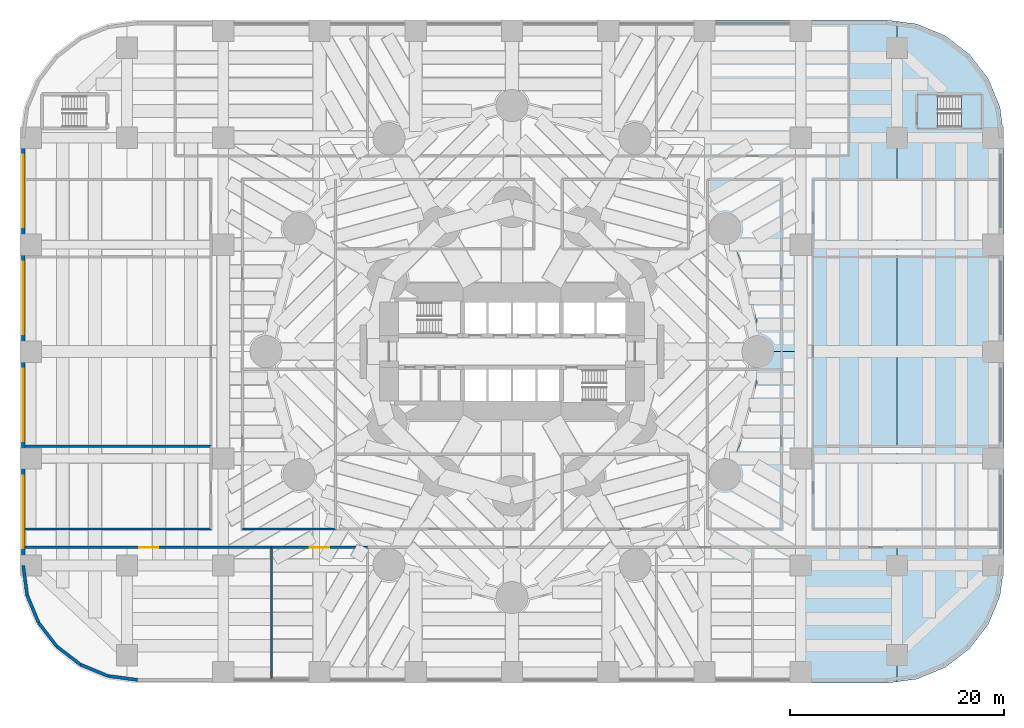
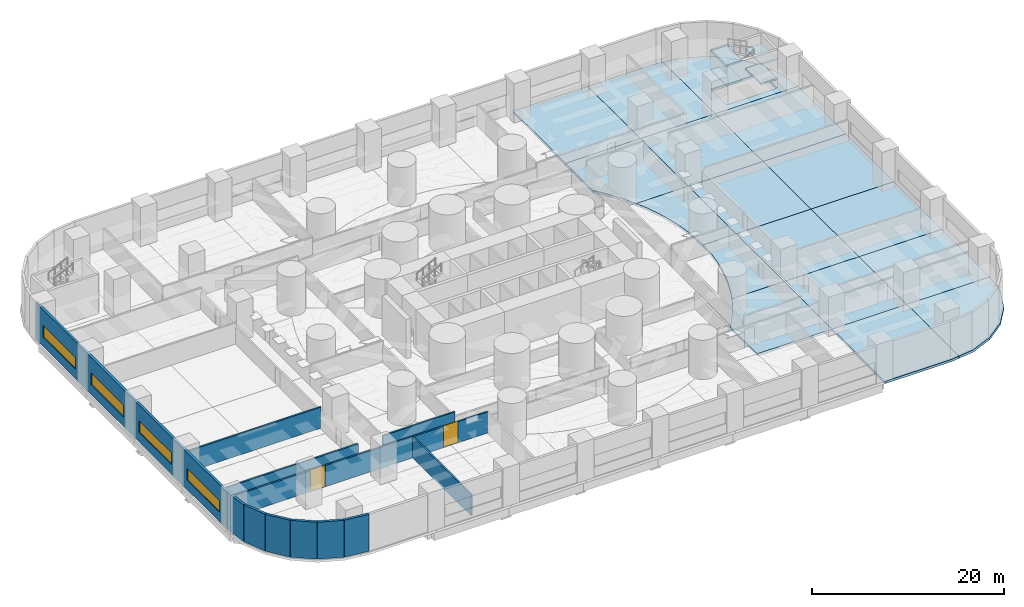
# One storey, part 6 of 17: 21 slabs, 13 walls, 4 windows, 2 doors, 6 openings, 1 element without a shape of its own.
"""IFC4 building model written with IfcOpenShell, lengths in metres."""

from ifc_helpers import new_model, si_unit, direction, frame, frame_2d, origin, place, context, subcontext, project, spatial, polyline, rectangle, outline, extrude, material, layer, layer_set, type_object, element, fill, aggregate, save


model = new_model("IFC4")

# Units and contexts
model_context = context("Model", 3, precision=1e-05, world=origin(), true_north=direction((0.0, 1.0)))
body_context = subcontext(model_context, "Body", "Model", "MODEL_VIEW")
ifc_project = project(units=[si_unit("LENGTHUNIT", "METRE"), si_unit("AREAUNIT", "SQUARE_METRE"), si_unit("VOLUMEUNIT", "CUBIC_METRE"), si_unit("PLANEANGLEUNIT", "RADIAN"), si_unit("MASSUNIT", "GRAM", prefix="KILO")], contexts=[model_context])

# Site, building, storey
site_placement = place(None, origin())
site = spatial("IfcSite", under=ifc_project, at=site_placement, CompositionType="ELEMENT")
building_placement = place(site_placement, origin())
building = spatial("IfcBuilding", under=site, at=building_placement, Name="Qaws Media Tower", CompositionType="ELEMENT")
storey_placement = place(building_placement, frame((0.0, 0.0, 15.0)))
storey = spatial("IfcBuildingStorey", under=building, at=storey_placement, Name="L02", CompositionType="ELEMENT", Elevation=15.0)

# Slabs
ifc_material_1 = material(Name="Concrete C40/50", Category="concrete")
ifc_layer_1 = layer(ifc_material_1, 0.300048828125)
ifc_layer_set_1 = layer_set([ifc_layer_1], Name="Podium slab 300")
slab_type_1 = type_object("IfcSlabType", Name="Podium slab 300", PredefinedType="FLOOR", material=ifc_layer_set_1)
slab_1_placement = place(storey_placement, frame((0.0, 0.0, -0.300048828125)))
element("IfcSlab", 1, at=slab_1_placement, inside=storey, type_object=slab_type_1, Name="S3 slab L02 bay 8-9/B-C", PredefinedType="FLOOR", context=body_context, shape_type="SweptSolid", body=[
    extrude(outline(polyline([(78.2470703125, 35.99853515625), (79.123779296875, 37.221923828125), (79.918701171875, 38.5), (80.628173828125, 39.827392578125), (80.706298828125, 40.0), (87.0, 40.0), (87.0, 30.0), (78.0, 30.0), (78.0, 35.697509765625), (78.2470703125, 35.99853515625)])), origin(), (0.0, 0.0, 1.0), 0.300048828125),
])
slab_2_placement = place(storey_placement, frame((0.0, 0.0, -0.300048828125)))
element("IfcSlab", 2, at=slab_2_placement, inside=storey, type_object=slab_type_1, Name="S3 slab L02 bay 8-9/C-D", PredefinedType="FLOOR", context=body_context, shape_type="SweptSolid", body=[
    extrude(outline(polyline([(81.249267578125, 41.1982421875), (81.779296875, 42.60693359375), (82.21630859375, 44.047119140625), (82.55810546875, 45.512939453125), (82.80322265625, 46.997802734375), (82.95068359375, 48.49560546875), (83.0, 50.0), (87.0, 50.0), (87.0, 40.0), (80.706298828125, 40.0), (81.249267578125, 41.1982421875)])), origin(), (0.0, 0.0, 1.0), 0.300048828125),
])
slab_3_placement = place(storey_placement, frame((0.0, 0.0, -0.300048828125)))
element("IfcSlab", 3, at=slab_3_placement, inside=storey, type_object=slab_type_1, Name="S3 slab L02 bay 8-9/D-E", PredefinedType="FLOOR", context=body_context, shape_type="SweptSolid", body=[
    extrude(outline(polyline([(82.21630859375, 55.952880859375), (81.779296875, 57.39306640625), (81.249267578125, 58.8017578125), (80.706298828125, 60.0), (87.0, 60.0), (87.0, 50.0), (83.0, 50.0), (82.95068359375, 51.50439453125), (82.80322265625, 53.002197265625), (82.55810546875, 54.487060546875), (82.21630859375, 55.952880859375)])), origin(), (0.0, 0.0, 1.0), 0.300048828125),
])
slab_4_placement = place(storey_placement, frame((0.0, 0.0, -0.300048828125)))
element("IfcSlab", 4, at=slab_4_placement, inside=storey, type_object=slab_type_1, Name="S3 slab L02 bay 8-9/E-F", PredefinedType="FLOOR", context=body_context, shape_type="SweptSolid", body=[
    extrude(outline(polyline([(80.628173828125, 60.172607421875), (79.918701171875, 61.5), (79.123779296875, 62.778076171875), (78.2470703125, 64.00146484375), (78.0, 64.302490234375), (78.0, 70.0), (87.0, 70.0), (87.0, 60.0), (80.706298828125, 60.0), (80.628173828125, 60.172607421875)])), origin(), (0.0, 0.0, 1.0), 0.300048828125),
])
slab_5_placement = place(storey_placement, frame((0.0, 0.0, -0.300048828125)))
element("IfcSlab", 5, at=slab_5_placement, inside=storey, type_object=slab_type_1, Name="S3 slab L02 bay 8-9/F-G", PredefinedType="FLOOR", context=body_context, shape_type="SweptSolid", body=[
    extrude(outline(polyline([(87.0, 81.0), (87.0, 70.0), (78.0, 70.0), (78.0, 81.0), (87.0, 81.0)])), origin(), (0.0, 0.0, 1.0), 0.300048828125),
])
slab_6_placement = place(storey_placement, frame((0.0, 0.0, -0.300048828125)))
element("IfcSlab", 6, at=slab_6_placement, inside=storey, type_object=slab_type_1, Name="S3 slab L02 bay 9-10/A-B", PredefinedType="FLOOR", context=body_context, shape_type="SweptSolid", body=[
    extrude(outline(polyline([(95.0, 19.0), (87.0, 19.0), (87.0, 30.0), (96.0, 30.0), (96.0, 19.131591796875), (95.0, 19.0)])), origin(), (0.0, 0.0, 1.0), 0.300048828125),
])
slab_7_placement = place(storey_placement, frame((0.0, 0.0, -0.300048828125)))
element("IfcSlab", 7, at=slab_7_placement, inside=storey, type_object=slab_type_1, Name="S3 slab L02 bay 9-10/B-C", PredefinedType="FLOOR", context=body_context, shape_type="SweptSolid", body=[
    extrude(outline(polyline([(87.0, 30.0), (87.0, 40.0), (96.0, 40.0), (96.0, 30.0), (87.0, 30.0)])), origin(), (0.0, 0.0, 1.0), 0.300048828125),
])
slab_8_placement = place(storey_placement, frame((0.0, 0.0, -0.300048828125)))
element("IfcSlab", 8, at=slab_8_placement, inside=storey, type_object=slab_type_1, Name="S3 slab L02 bay 9-10/C-D", PredefinedType="FLOOR", context=body_context, shape_type="SweptSolid", body=[
    extrude(outline(polyline([(87.0, 40.0), (87.0, 50.0), (96.0, 50.0), (96.0, 40.0), (87.0, 40.0)])), origin(), (0.0, 0.0, 1.0), 0.300048828125),
])
slab_9_placement = place(storey_placement, frame((0.0, 0.0, -0.300048828125)))
element("IfcSlab", 9, at=slab_9_placement, inside=storey, type_object=slab_type_1, Name="S3 slab L02 bay 9-10/D-E", PredefinedType="FLOOR", context=body_context, shape_type="SweptSolid", body=[
    extrude(outline(polyline([(87.0, 50.0), (87.0, 60.0), (96.0, 60.0), (96.0, 50.0), (87.0, 50.0)])), origin(), (0.0, 0.0, 1.0), 0.300048828125),
])
slab_10_placement = place(storey_placement, frame((0.0, 0.0, -0.300048828125)))
element("IfcSlab", 10, at=slab_10_placement, inside=storey, type_object=slab_type_1, Name="S3 slab L02 bay 9-10/E-F", PredefinedType="FLOOR", context=body_context, shape_type="SweptSolid", body=[
    extrude(outline(polyline([(87.0, 60.0), (87.0, 70.0), (96.0, 70.0), (96.0, 60.0), (87.0, 60.0)])), origin(), (0.0, 0.0, 1.0), 0.300048828125),
])
slab_11_placement = place(storey_placement, frame((0.0, 0.0, -0.300048828125)))
element("IfcSlab", 11, at=slab_11_placement, inside=storey, type_object=slab_type_1, Name="S3 slab L02 bay 9-10/F-G", PredefinedType="FLOOR", context=body_context, shape_type="SweptSolid", body=[
    extrude(outline(polyline([(95.0, 81.0), (96.0, 80.868408203125), (96.0, 70.0), (87.0, 70.0), (87.0, 81.0), (95.0, 81.0)])), origin(), (0.0, 0.0, 1.0), 0.300048828125),
])
slab_12_placement = place(storey_placement, frame((0.0, 0.0, -0.300048828125)))
element("IfcSlab", 12, at=slab_12_placement, inside=storey, type_object=slab_type_1, Name="S3 slab L02 bay 10-11/A-B", PredefinedType="FLOOR", context=body_context, shape_type="SweptSolid", body=[
    extrude(outline(polyline([(105.625244140625, 27.153076171875), (104.5263671875, 24.5), (102.7783203125, 22.2216796875), (100.5, 20.4736328125), (97.846923828125, 19.374755859375), (96.0, 19.131591796875), (96.0, 30.0), (106.0, 30.0), (105.625244140625, 27.153076171875)])), origin(), (0.0, 0.0, 1.0), 0.300048828125),
])
slab_13_placement = place(storey_placement, frame((0.0, 0.0, -0.300048828125)))
element("IfcSlab", 13, at=slab_13_placement, inside=storey, type_object=slab_type_1, Name="S3 slab L02 bay 10-11/B-C", PredefinedType="FLOOR", context=body_context, shape_type="SweptSolid", body=[
    extrude(outline(polyline([(106.0, 30.0), (96.0, 30.0), (96.0, 40.0), (106.0, 40.0), (106.0, 30.0)])), origin(), (0.0, 0.0, 1.0), 0.300048828125),
])
slab_14_placement = place(storey_placement, frame((0.0, 0.0, -0.300048828125)))
element("IfcSlab", 14, at=slab_14_placement, inside=storey, type_object=slab_type_1, Name="S3 slab L02 bay 10-11/C-D", PredefinedType="FLOOR", context=body_context, shape_type="SweptSolid", body=[
    extrude(outline(polyline([(106.0, 40.0), (96.0, 40.0), (96.0, 50.0), (106.0, 50.0), (106.0, 40.0)])), origin(), (0.0, 0.0, 1.0), 0.300048828125),
])
slab_15_placement = place(storey_placement, frame((0.0, 0.0, -0.300048828125)))
element("IfcSlab", 15, at=slab_15_placement, inside=storey, type_object=slab_type_1, Name="S3 slab L02 bay 10-11/D-E", PredefinedType="FLOOR", context=body_context, shape_type="SweptSolid", body=[
    extrude(outline(polyline([(106.0, 50.0), (96.0, 50.0), (96.0, 60.0), (106.0, 60.0), (106.0, 50.0)])), origin(), (0.0, 0.0, 1.0), 0.300048828125),
])
slab_16_placement = place(storey_placement, frame((0.0, 0.0, -0.300048828125)))
element("IfcSlab", 16, at=slab_16_placement, inside=storey, type_object=slab_type_1, Name="S3 slab L02 bay 10-11/E-F", PredefinedType="FLOOR", context=body_context, shape_type="SweptSolid", body=[
    extrude(outline(polyline([(106.0, 60.0), (96.0, 60.0), (96.0, 70.0), (106.0, 70.0), (106.0, 60.0)])), origin(), (0.0, 0.0, 1.0), 0.300048828125),
])
slab_17_placement = place(storey_placement, frame((0.0, 0.0, -0.300048828125)))
element("IfcSlab", 17, at=slab_17_placement, inside=storey, type_object=slab_type_1, Name="S3 slab L02 bay 10-11/F-G", PredefinedType="FLOOR", context=body_context, shape_type="SweptSolid", body=[
    extrude(outline(polyline([(97.846923828125, 80.625244140625), (100.5, 79.5263671875), (102.7783203125, 77.7783203125), (104.5263671875, 75.5), (105.625244140625, 72.846923828125), (106.0, 70.0), (96.0, 70.0), (96.0, 80.868408203125), (97.846923828125, 80.625244140625)]), holes=[polyline([(97.85009765625, 74.050048828125), (97.85009765625, 70.85009765625), (103.949951171875, 70.85009765625), (103.949951171875, 74.050048828125), (97.85009765625, 74.050048828125)])]), origin(), (0.0, 0.0, 1.0), 0.300048828125),
])

# Stair, slabs
ifc_material_2 = material(Name="Concrete C40/50", Category="concrete")
stair_type = type_object("IfcStairType", Name="Exit stair", PredefinedType="HALF_TURN_STAIR", material=ifc_material_2)
stair_placement = place(storey_placement, origin())
stair = element("IfcStair", 18, at=stair_placement, inside=storey, type_object=stair_type, Name="S4 exit stair L02", PredefinedType="HALF_TURN_STAIR")
ifc_material_3 = material(Name="Concrete C40/50", Category="concrete")
ifc_layer_2 = layer(ifc_material_3, 0.199951171875)
ifc_layer_set_2 = layer_set([ifc_layer_2], Name="Stair landing 200")
slab_type_2 = type_object("IfcSlabType", Name="Stair landing 200", PredefinedType="LANDING", material=ifc_layer_set_2)
slab_18_placement = place(storey_placement, frame((0.0, 0.0, 1.050048828125)))
slab_18 = element("IfcSlab", 19, at=slab_18_placement, type_object=slab_type_2, Name="S4 landing 1", PredefinedType="LANDING", context=body_context, shape_type="SweptSolid", body=[
    extrude(outline(polyline([(102.02001953125, 70.85009765625), (103.949951171875, 70.85009765625), (103.949951171875, 74.050048828125), (102.02001953125, 74.050048828125), (102.02001953125, 70.85009765625)])), origin(), (0.0, 0.0, 1.0), 0.199951171875),
])
slab_19_placement = place(storey_placement, frame((0.0, 0.0, 2.300048828125)))
slab_19 = element("IfcSlab", 20, at=slab_19_placement, type_object=slab_type_2, Name="S4 landing 2", PredefinedType="LANDING", context=body_context, shape_type="SweptSolid", body=[
    extrude(outline(polyline([(97.85009765625, 70.85009765625), (99.780029296875, 70.85009765625), (99.780029296875, 74.050048828125), (97.85009765625, 74.050048828125), (97.85009765625, 70.85009765625)])), origin(), (0.0, 0.0, 1.0), 0.199951171875),
])
slab_20_placement = place(storey_placement, frame((0.0, 0.0, 3.550048828125)))
slab_20 = element("IfcSlab", 21, at=slab_20_placement, type_object=slab_type_2, Name="S4 landing 3", PredefinedType="LANDING", context=body_context, shape_type="SweptSolid", body=[
    extrude(outline(polyline([(102.02001953125, 70.85009765625), (103.949951171875, 70.85009765625), (103.949951171875, 74.050048828125), (102.02001953125, 74.050048828125), (102.02001953125, 70.85009765625)])), origin(), (0.0, 0.0, 1.0), 0.199951171875),
])
slab_21_placement = place(storey_placement, frame((0.0, 0.0, 4.800048828125)))
slab_21 = element("IfcSlab", 22, at=slab_21_placement, type_object=slab_type_2, Name="S4 landing 4", PredefinedType="LANDING", context=body_context, shape_type="SweptSolid", body=[
    extrude(outline(polyline([(97.85009765625, 70.85009765625), (99.780029296875, 70.85009765625), (99.780029296875, 74.050048828125), (97.85009765625, 74.050048828125), (97.85009765625, 70.85009765625)])), origin(), (0.0, 0.0, 1.0), 0.199951171875),
])
aggregate(stair, [slab_18, slab_19, slab_20, slab_21])

# Wall, openings, windows
ifc_material_4 = material(Name="Precast concrete, exposed finish", Category="concrete")
ifc_layer_3 = layer(ifc_material_4, 0.300048828125)
ifc_layer_set_3 = layer_set([ifc_layer_3], Name="Podium facade wall 300")
wall_type_1 = type_object("IfcWallType", Name="Podium facade wall 300", PredefinedType="SOLIDWALL", material=ifc_layer_set_3)
wall_1_placement = place(storey_placement, frame((14.300048828125, 70.0, 0.0), z_axis=(0.0, 0.0, 1.0), x_axis=(0.0, -1.0, 0.0)))
wall_1 = element("IfcWall", 23, at=wall_1_placement, inside=storey, type_object=wall_type_1, Name="W793 EW2 podium wall L02-21", PredefinedType="SOLIDWALL", context=body_context, shape_type="SweptSolid", body=[
    extrude(rectangle(XDim=40.0, YDim=0.300048828125, at=frame_2d((20.0, 0.0))), origin(), (0.0, 0.0, 1.0), 4.699951171875),
])
opening_1_placement = place(wall_1_placement, frame((31.60009765625, 0.0, 1.199951171875)))
opening_1 = element("IfcOpeningElement", 24, at=opening_1_placement, cuts=wall_1, Name="Opening W2", PredefinedType="OPENING", context=body_context, shape_type="SweptSolid", body=[
    extrude(rectangle(XDim=6.800048828125, YDim=1.5, at=frame_2d((3.39990234375, 0.75))), frame((0.0, 0.159912109375, 0.0), z_axis=(0.0, -1.0, 0.0), x_axis=(1.0, 0.0, 0.0)), (0.0, 0.0, 1.0), 0.320068359375),
])
opening_2_placement = place(wall_1_placement, frame((21.60009765625, 0.0, 1.199951171875)))
opening_2 = element("IfcOpeningElement", 25, at=opening_2_placement, cuts=wall_1, Name="Opening W2", PredefinedType="OPENING", context=body_context, shape_type="SweptSolid", body=[
    extrude(rectangle(XDim=6.800048828125, YDim=1.5, at=frame_2d((3.39990234375, 0.75))), frame((0.0, 0.159912109375, 0.0), z_axis=(0.0, -1.0, 0.0), x_axis=(1.0, 0.0, 0.0)), (0.0, 0.0, 1.0), 0.320068359375),
])
opening_3_placement = place(wall_1_placement, frame((11.60009765625, 0.0, 1.199951171875)))
opening_3 = element("IfcOpeningElement", 26, at=opening_3_placement, cuts=wall_1, Name="Opening W2", PredefinedType="OPENING", context=body_context, shape_type="SweptSolid", body=[
    extrude(rectangle(XDim=6.800048828125, YDim=1.5, at=frame_2d((3.39990234375, 0.75))), frame((0.0, 0.159912109375, 0.0), z_axis=(0.0, -1.0, 0.0), x_axis=(1.0, 0.0, 0.0)), (0.0, 0.0, 1.0), 0.320068359375),
])
opening_4_placement = place(wall_1_placement, frame((1.60009765625, 0.0, 1.199951171875)))
opening_4 = element("IfcOpeningElement", 27, at=opening_4_placement, cuts=wall_1, Name="Opening W2", PredefinedType="OPENING", context=body_context, shape_type="SweptSolid", body=[
    extrude(rectangle(XDim=6.800048828125, YDim=1.5, at=frame_2d((3.39990234375, 0.75))), frame((0.0, 0.159912109375, 0.0), z_axis=(0.0, -1.0, 0.0), x_axis=(1.0, 0.0, 0.0)), (0.0, 0.0, 1.0), 0.320068359375),
])
ifc_material_5 = material(Name="Aluminium and clear glass", Category="aluminium")
window_type = type_object("IfcWindowType", Name="Ribbon window 6800x1500", PartitioningType="TRIPLE_PANEL_HORIZONTAL", PredefinedType="WINDOW", material=ifc_material_5)
window_1_placement = place(opening_1_placement, origin())
window_1 = element("IfcWindow", 28, at=window_1_placement, inside=storey, type_object=window_type, Name="W2 window L02 bay 2", OverallHeight=1.5, OverallWidth=6.800048828125, PartitioningType="SINGLE_PANEL", PredefinedType="WINDOW", context=body_context, shape_type="SweptSolid", body=[
    extrude(rectangle(XDim=6.800048828125, YDim=1.5, at=frame_2d((3.39990234375, 0.75))), frame((0.0, 0.030029296875, 0.0), z_axis=(0.0, -1.0, 0.0), x_axis=(1.0, 0.0, 0.0)), (0.0, 0.0, 1.0), 0.06005859375),
])
fill(opening_1, window_1)
window_2_placement = place(opening_2_placement, origin())
window_2 = element("IfcWindow", 29, at=window_2_placement, inside=storey, type_object=window_type, Name="W2 window L02 bay 3", OverallHeight=1.5, OverallWidth=6.800048828125, PartitioningType="SINGLE_PANEL", PredefinedType="WINDOW", context=body_context, shape_type="SweptSolid", body=[
    extrude(rectangle(XDim=6.800048828125, YDim=1.5, at=frame_2d((3.39990234375, 0.75))), frame((0.0, 0.030029296875, 0.0), z_axis=(0.0, -1.0, 0.0), x_axis=(1.0, 0.0, 0.0)), (0.0, 0.0, 1.0), 0.06005859375),
])
fill(opening_2, window_2)
window_3_placement = place(opening_3_placement, origin())
window_3 = element("IfcWindow", 30, at=window_3_placement, inside=storey, type_object=window_type, Name="W2 window L02 bay 4", OverallHeight=1.5, OverallWidth=6.800048828125, PartitioningType="SINGLE_PANEL", PredefinedType="WINDOW", context=body_context, shape_type="SweptSolid", body=[
    extrude(rectangle(XDim=6.800048828125, YDim=1.5, at=frame_2d((3.39990234375, 0.75))), frame((0.0, 0.030029296875, 0.0), z_axis=(0.0, -1.0, 0.0), x_axis=(1.0, 0.0, 0.0)), (0.0, 0.0, 1.0), 0.06005859375),
])
fill(opening_3, window_3)
window_4_placement = place(opening_4_placement, origin())
window_4 = element("IfcWindow", 31, at=window_4_placement, inside=storey, type_object=window_type, Name="W2 window L02 bay 5", OverallHeight=1.5, OverallWidth=6.800048828125, PartitioningType="SINGLE_PANEL", PredefinedType="WINDOW", context=body_context, shape_type="SweptSolid", body=[
    extrude(rectangle(XDim=6.800048828125, YDim=1.5, at=frame_2d((3.39990234375, 0.75))), frame((0.0, 0.030029296875, 0.0), z_axis=(0.0, -1.0, 0.0), x_axis=(1.0, 0.0, 0.0)), (0.0, 0.0, 1.0), 0.06005859375),
])
fill(opening_4, window_4)

# Walls
wall_2_placement = place(storey_placement, frame((14.300048828125, 30.0, 0.0), z_axis=(0.0, 0.0, 1.0), x_axis=(0.130497471798, -0.991448642066, 0.0)))
element("IfcWall", 32, at=wall_2_placement, inside=storey, type_object=wall_type_1, Name="W763 EW2 podium wall L02-22", PredefinedType="SOLIDWALL", context=body_context, shape_type="SweptSolid", body=[
    extrude(rectangle(XDim=2.793212890625, YDim=0.300048828125, at=frame_2d((1.396484375, 0.0))), origin(), (0.0, 0.0, 1.0), 4.699951171875),
])
wall_3_placement = place(storey_placement, frame((14.66455078125, 27.230712890625, 0.0), z_axis=(0.0, 0.0, 1.0), x_axis=(0.382709424419, -0.923868765822, 0.0)))
element("IfcWall", 33, at=wall_3_placement, inside=storey, type_object=wall_type_1, Name="W765 EW2 podium wall L02-23", PredefinedType="SOLIDWALL", context=body_context, shape_type="SweptSolid", body=[
    extrude(rectangle(XDim=2.79345703125, YDim=0.300048828125, at=frame_2d((1.396728515625, 0.0))), origin(), (0.0, 0.0, 1.0), 4.699951171875),
])
for number, where, z_axis, x_axis, name in (
    (34, (15.733642578125, 24.64990234375, 0.0), (0.0, 0.0, 1.0), (0.608704923183, -0.793396695539, 0.0), "W767 EW2 podium wall L02-24"),
    (35, (17.433837890625, 22.433837890625, 0.0), (0.0, 0.0, 1.0), (0.793396695539, -0.608704923183, 0.0), "W769 EW2 podium wall L02-25"),
):
    element("IfcWall", number, at=place(storey_placement, frame(where, z_axis=z_axis, x_axis=x_axis)), inside=storey, type_object=wall_type_1, Name=name, PredefinedType="SOLIDWALL", context=body_context, shape_type="SweptSolid", body=[
        extrude(rectangle(XDim=2.793212890625, YDim=0.300048828125, at=frame_2d((1.396484375, 0.0))), origin(), (0.0, 0.0, 1.0), 4.699951171875),
    ])
wall_4_placement = place(storey_placement, frame((19.64990234375, 20.733642578125, 0.0), z_axis=(0.0, 0.0, 1.0), x_axis=(0.923868765822, -0.382709424419, 0.0)))
element("IfcWall", 36, at=wall_4_placement, inside=storey, type_object=wall_type_1, Name="W771 EW2 podium wall L02-26", PredefinedType="SOLIDWALL", context=body_context, shape_type="SweptSolid", body=[
    extrude(rectangle(XDim=2.79345703125, YDim=0.300048828125, at=frame_2d((1.396728515625, 0.0))), origin(), (0.0, 0.0, 1.0), 4.699951171875),
])
wall_5_placement = place(storey_placement, frame((22.230712890625, 19.66455078125, 0.0), z_axis=(0.0, 0.0, 1.0), x_axis=(0.991448642066, -0.130497471798, 0.0)))
element("IfcWall", 37, at=wall_5_placement, inside=storey, type_object=wall_type_1, Name="W773 EW2 podium wall L02-27", PredefinedType="SOLIDWALL", context=body_context, shape_type="SweptSolid", body=[
    extrude(rectangle(XDim=2.793212890625, YDim=0.300048828125, at=frame_2d((1.396484375, 0.0))), origin(), (0.0, 0.0, 1.0), 4.699951171875),
])
ifc_material_6 = material(Name="Gypsum board on galvanised metal studs, acoustic double stud, deflection head", Category="gypsum")
ifc_layer_4 = layer(ifc_material_6, 0.199951171875)
ifc_layer_set_4 = layer_set([ifc_layer_4], Name="Room partition 200")
wall_type_2 = type_object("IfcWallType", Name="Room partition 200", PredefinedType="PARTITIONING", material=ifc_layer_set_4)
wall_6_placement = place(storey_placement, frame((37.5, 19.455078125, 0.0), z_axis=(0.0, 0.0, 1.0), x_axis=(0.0, 1.0, 0.0)))
element("IfcWall", 38, at=wall_6_placement, inside=storey, type_object=wall_type_2, Name="W901 IW3 partition L02", PredefinedType="PARTITIONING", context=body_context, shape_type="SweptSolid", body=[
    extrude(rectangle(XDim=12.244873046875, YDim=0.199951171875, at=frame_2d((6.12255859375, 0.0))), origin(), (0.0, 0.0, 1.0), 2.679931640625),
])

# Wall, opening, door
wall_7_placement = place(storey_placement, frame((14.455078125, 31.699951171875, 0.0), z_axis=(0.0, 0.0, 1.0), x_axis=(1.0, 0.0, 0.0)))
wall_7 = element("IfcWall", 39, at=wall_7_placement, inside=storey, type_object=wall_type_2, Name="W842 IW3 partition L02", PredefinedType="PARTITIONING", context=body_context, shape_type="SweptSolid", body=[
    extrude(rectangle(XDim=23.044921875, YDim=0.199951171875, at=frame_2d((11.5224609375, 0.0))), origin(), (0.0, 0.0, 1.0), 2.679931640625),
])
opening_5_placement = place(wall_7_placement, frame((10.672607421875, 0.0, 0.0)))
opening_5 = element("IfcOpeningElement", 40, at=opening_5_placement, cuts=wall_7, Name="Opening D15", PredefinedType="OPENING", context=body_context, shape_type="SweptSolid", body=[
    extrude(rectangle(XDim=1.800048828125, YDim=2.699951171875, at=frame_2d((0.89990234375, 1.35009765625))), frame((0.0, 0.10986328125, 0.0), z_axis=(0.0, -1.0, 0.0), x_axis=(1.0, 0.0, 0.0)), (0.0, 0.0, 1.0), 0.219970703125),
])
ifc_material_7 = material(Name="Steel acoustic door set, Rw 50", Category="steel")
door_type = type_object("IfcDoorType", Name="Studio acoustic door pair 1800x2700 Rw 50", OperationType="DOUBLE_DOOR_DOUBLE_SWING", PredefinedType="DOOR", material=ifc_material_7)
door_1_placement = place(opening_5_placement, origin())
door_1 = element("IfcDoor", 41, at=door_1_placement, inside=storey, type_object=door_type, Name="D15 Radio studio 1 door in wall W842", OperationType="DOUBLE_DOOR_DOUBLE_SWING", OverallHeight=2.699951171875, OverallWidth=1.800048828125, PredefinedType="DOOR", context=body_context, shape_type="SweptSolid", body=[
    extrude(rectangle(XDim=1.800048828125, YDim=2.699951171875, at=frame_2d((0.89990234375, 1.35009765625))), frame((0.0, 0.02490234375, 0.0), z_axis=(0.0, -1.0, 0.0), x_axis=(1.0, 0.0, 0.0)), (0.0, 0.0, 1.0), 0.050048828125),
])
fill(opening_5, door_1)

wall_8_placement = place(storey_placement, frame((37.5, 31.699951171875, 0.0), z_axis=(0.0, 0.0, 1.0), x_axis=(1.0, 0.0, 0.0)))
wall_8 = element("IfcWall", 42, at=wall_8_placement, inside=storey, type_object=wall_type_2, Name="W853 IW3 partition L02", PredefinedType="PARTITIONING", context=body_context, shape_type="SweptSolid", body=[
    extrude(rectangle(XDim=9.0, YDim=0.199951171875, at=frame_2d((4.5, 0.0))), origin(), (0.0, 0.0, 1.0), 2.679931640625),
])
opening_6_placement = place(wall_8_placement, frame((3.60009765625, 0.0, 0.0)))
opening_6 = element("IfcOpeningElement", 43, at=opening_6_placement, cuts=wall_8, Name="Opening D15", PredefinedType="OPENING", context=body_context, shape_type="SweptSolid", body=[
    extrude(rectangle(XDim=1.800048828125, YDim=2.699951171875, at=frame_2d((0.89990234375, 1.35009765625))), frame((0.0, 0.10986328125, 0.0), z_axis=(0.0, -1.0, 0.0), x_axis=(1.0, 0.0, 0.0)), (0.0, 0.0, 1.0), 0.219970703125),
])
door_2_placement = place(opening_6_placement, origin())
door_2 = element("IfcDoor", 44, at=door_2_placement, inside=storey, type_object=door_type, Name="D15 Radio studio 2 door in wall W853", OperationType="DOUBLE_DOOR_DOUBLE_SWING", OverallHeight=2.699951171875, OverallWidth=1.800048828125, PredefinedType="DOOR", context=body_context, shape_type="SweptSolid", body=[
    extrude(rectangle(XDim=1.800048828125, YDim=2.699951171875, at=frame_2d((0.89990234375, 1.35009765625))), frame((0.0, 0.02490234375, 0.0), z_axis=(0.0, -1.0, 0.0), x_axis=(1.0, 0.0, 0.0)), (0.0, 0.0, 1.0), 0.050048828125),
])
fill(opening_6, door_2)

# Walls
wall_9_placement = place(storey_placement, frame((14.455078125, 33.39990234375, 0.0), z_axis=(0.0, 0.0, 1.0), x_axis=(1.0, 0.0, 0.0)))
element("IfcWall", 45, at=wall_9_placement, inside=storey, type_object=wall_type_2, Name="W922 IW3 partition L02", PredefinedType="PARTITIONING", context=body_context, shape_type="SweptSolid", body=[
    extrude(rectangle(XDim=17.39501953125, YDim=0.199951171875, at=frame_2d((8.697509765625, 0.0))), origin(), (0.0, 0.0, 1.0), 2.679931640625),
])
wall_10_placement = place(storey_placement, frame((34.800048828125, 33.39990234375, 0.0), z_axis=(0.0, 0.0, 1.0), x_axis=(1.0, 0.0, 0.0)))
element("IfcWall", 46, at=wall_10_placement, inside=storey, type_object=wall_type_2, Name="W897 IW3 partition L02", PredefinedType="PARTITIONING", context=body_context, shape_type="SweptSolid", body=[
    extrude(rectangle(XDim=8.699951171875, YDim=0.199951171875, at=frame_2d((4.35009765625, 0.0))), origin(), (0.0, 0.0, 1.0), 2.679931640625),
])
wall_11_placement = place(storey_placement, frame((14.455078125, 41.14990234375, 0.0), z_axis=(0.0, 0.0, 1.0), x_axis=(1.0, 0.0, 0.0)))
element("IfcWall", 47, at=wall_11_placement, inside=storey, type_object=wall_type_2, Name="W923 IW3 partition L02", PredefinedType="PARTITIONING", context=body_context, shape_type="SweptSolid", body=[
    extrude(rectangle(XDim=17.39501953125, YDim=0.199951171875, at=frame_2d((8.697509765625, 0.0))), origin(), (0.0, 0.0, 1.0), 2.679931640625),
])

save(model, "model.ifc")
